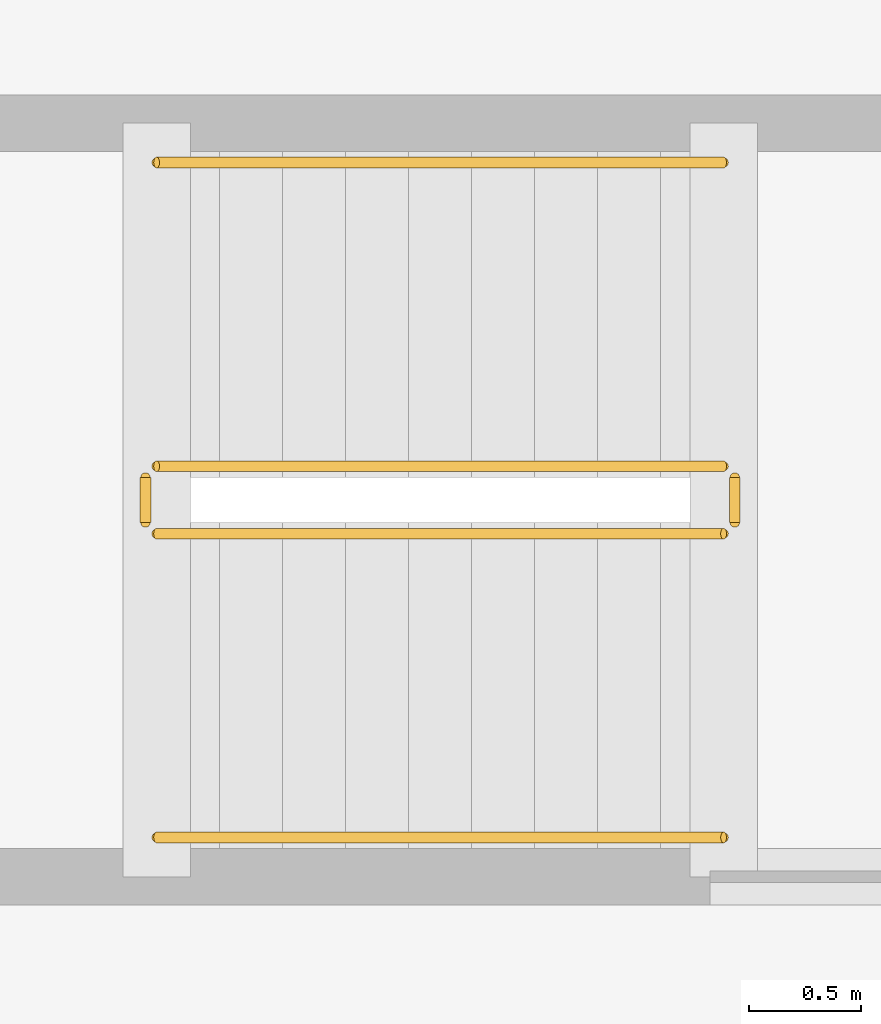
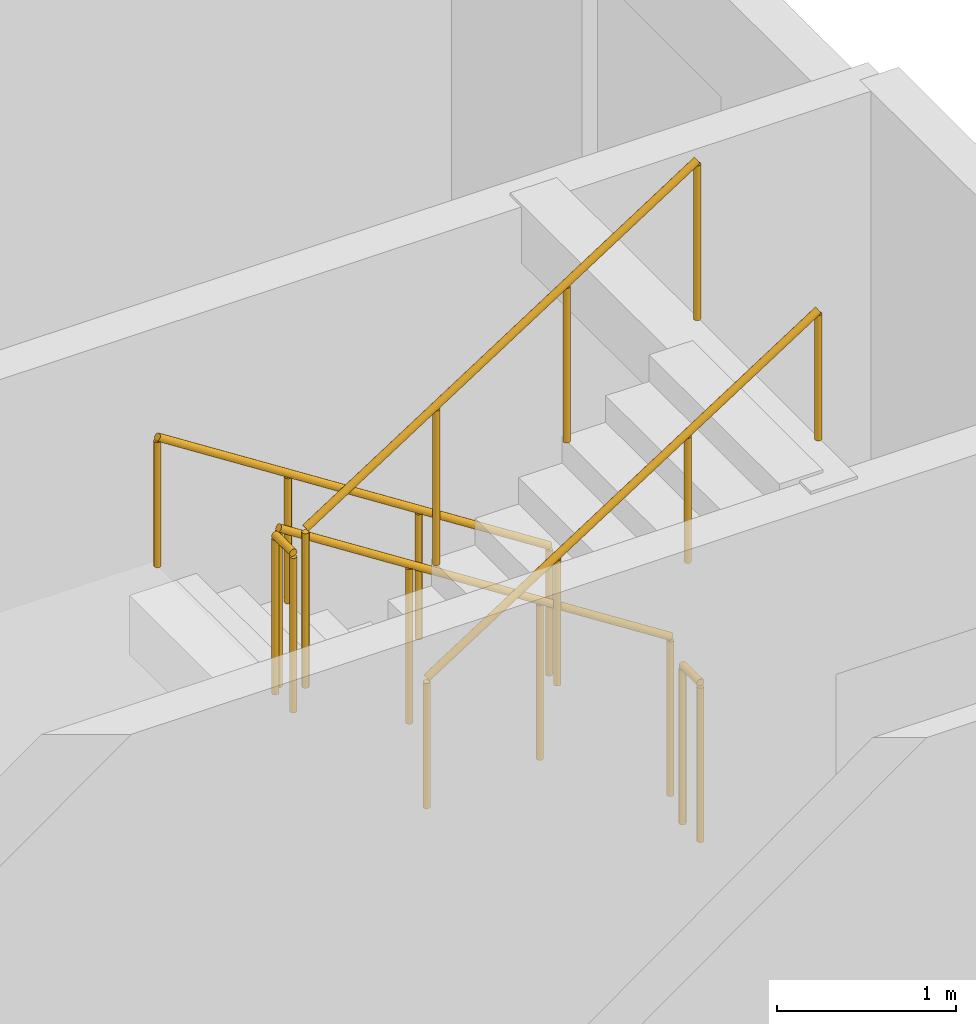
# One storey, part 36 of 36: 6 railings.
"""IFC4 building model written with IfcOpenShell, lengths in metres."""

from ifc_helpers import new_model, si_unit, direction, frame, origin, origin_2d, place, context, subcontext, project, spatial, circle, extrude, material, type_object, element, save


model = new_model("IFC4")

# Units and contexts
model_context = context("Model", 3, precision=1e-05, world=origin(), true_north=direction((0.0, 1.0)))
body_context = subcontext(model_context, "Body", "Model", "MODEL_VIEW")
ifc_project = project(units=[si_unit("LENGTHUNIT", "METRE"), si_unit("AREAUNIT", "SQUARE_METRE"), si_unit("VOLUMEUNIT", "CUBIC_METRE"), si_unit("PLANEANGLEUNIT", "RADIAN"), si_unit("MASSUNIT", "GRAM", prefix="KILO")], contexts=[model_context])

# Site, building, storey
site_placement = place(None, origin())
site = spatial("IfcSite", under=ifc_project, at=site_placement, CompositionType="ELEMENT")
building_placement = place(site_placement, origin())
building = spatial("IfcBuilding", under=site, at=building_placement, Name="Kazehara Bluff Congress Hotel", CompositionType="ELEMENT")
storey_placement = place(building_placement, frame((0.0, 0.0, 28.199951171875)))
storey = spatial("IfcBuildingStorey", under=building, at=storey_placement, Name="L06", CompositionType="ELEMENT", Elevation=28.199951171875)

# Railings
ifc_material_1 = material(Name="Brushed stainless steel", Category="steel")
railing_type_1 = type_object("IfcRailingType", Name="TP-GRD-INT", PredefinedType="GUARDRAIL", material=ifc_material_1)
railing_1_placement = place(storey_placement, frame((165.64990234375, 74.89990234375, 0.179931640625)))
element("IfcRailing", 1, at=railing_1_placement, inside=storey, type_object=railing_type_1, Name="L06 ST-12 stair guard 1", PredefinedType="GUARDRAIL", context=body_context, shape_type="SweptSolid", body=[
    extrude(circle(Radius=0.02392578125, at=origin_2d()), frame((0.0, 0.0, 1.076171875), z_axis=(-0.841162588446, 0.0, 0.540782303519), x_axis=(0.0, -1.0, 0.0)), (0.0, 0.0, 1.0), 2.995849609375),
    extrude(circle(Radius=0.02099609375, at=origin_2d()), origin(), (0.0, 0.0, 1.0), 1.052001953125),
    extrude(circle(Radius=0.02099609375, at=origin_2d()), frame((-0.840087890625, 0.0, 0.5400390625)), (0.0, 0.0, 1.0), 1.052001953125),
    extrude(circle(Radius=0.02099609375, at=origin_2d()), frame((-1.679931640625, 0.0, 1.080078125)), (0.0, 0.0, 1.0), 1.052001953125),
    extrude(circle(Radius=0.02099609375, at=origin_2d()), frame((-2.52001953125, 0.0, 1.6201171875)), (0.0, 0.0, 1.0), 1.052001953125),
])
railing_2_placement = place(storey_placement, frame((163.080078125, 74.85009765625, 1.800048828125)))
element("IfcRailing", 2, at=railing_2_placement, inside=storey, type_object=railing_type_1, Name="L06 ST-12 stair guard 2", PredefinedType="GUARDRAIL", context=body_context, shape_type="SweptSolid", body=[
    extrude(circle(Radius=0.02392578125, at=origin_2d()), frame((0.0, 0.0, 1.076171875), z_axis=(0.0, -1.0, 0.0), x_axis=(1.0, 0.0, 0.0)), (0.0, 0.0, 1.0), 0.2001953125),
    extrude(circle(Radius=0.02099609375, at=origin_2d()), origin(), (0.0, 0.0, 1.0), 1.052001953125),
    extrude(circle(Radius=0.02099609375, at=origin_2d()), frame((0.0, -0.2001953125, 0.0)), (0.0, 0.0, 1.0), 1.052001953125),
])
railing_3_placement = place(storey_placement, frame((163.1298828125, 74.60009765625, 1.97998046875)))
element("IfcRailing", 3, at=railing_3_placement, inside=storey, type_object=railing_type_1, Name="L06 ST-12 stair guard 3", PredefinedType="GUARDRAIL", context=body_context, shape_type="SweptSolid", body=[
    extrude(circle(Radius=0.02392578125, at=origin_2d()), frame((0.0, 0.0, 1.076171875), z_axis=(0.841162588446, 0.0, 0.540782303519), x_axis=(0.0, 1.0, 0.0)), (0.0, 0.0, 1.0), 2.995849609375),
    extrude(circle(Radius=0.02099609375, at=origin_2d()), origin(), (0.0, 0.0, 1.0), 1.052001953125),
    extrude(circle(Radius=0.02099609375, at=origin_2d()), frame((0.840087890625, 0.0, 0.5400390625)), (0.0, 0.0, 1.0), 1.052001953125),
    extrude(circle(Radius=0.02099609375, at=origin_2d()), frame((1.679931640625, 0.0, 1.080078125)), (0.0, 0.0, 1.0), 1.052001953125),
    extrude(circle(Radius=0.02099609375, at=origin_2d()), frame((2.52001953125, 0.0, 1.6201171875)), (0.0, 0.0, 1.0), 1.052001953125),
])
railing_4_placement = place(storey_placement, frame((165.699951171875, 74.85009765625, 0.0)))
element("IfcRailing", 4, at=railing_4_placement, inside=storey, type_object=railing_type_1, Name="L06 ST-12 stair guard 4", PredefinedType="GUARDRAIL", context=body_context, shape_type="SweptSolid", body=[
    extrude(circle(Radius=0.02392578125, at=origin_2d()), frame((0.0, 0.0, 1.076171875), z_axis=(0.0, -1.0, 0.0), x_axis=(1.0, 0.0, 0.0)), (0.0, 0.0, 1.0), 0.2001953125),
    extrude(circle(Radius=0.02099609375, at=origin_2d()), origin(), (0.0, 0.0, 1.0), 1.052001953125),
    extrude(circle(Radius=0.02099609375, at=origin_2d()), frame((0.0, -0.2001953125, 0.0)), (0.0, 0.0, 1.0), 1.052001953125),
])
ifc_material_2 = material(Name="Brushed stainless steel", Category="steel")
railing_type_2 = type_object("IfcRailingType", Name="TP-HR-INT", PredefinedType="HANDRAIL", material=ifc_material_2)
railing_5_placement = place(storey_placement, frame((165.64990234375, 76.25, 0.179931640625)))
element("IfcRailing", 5, at=railing_5_placement, inside=storey, type_object=railing_type_2, Name="L06 ST-12 stair handrail 1", PredefinedType="HANDRAIL", context=body_context, shape_type="SweptSolid", body=[
    extrude(circle(Radius=0.02392578125, at=origin_2d()), frame((0.0, 0.0, 0.8759765625), z_axis=(-0.841162588446, 0.0, 0.540782303519), x_axis=(0.0, -1.0, 0.0)), (0.0, 0.0, 1.0), 2.995849609375),
    extrude(circle(Radius=0.02099609375, at=origin_2d()), origin(), (0.0, 0.0, 1.0), 0.851806640625),
    extrude(circle(Radius=0.02099609375, at=origin_2d()), frame((-0.840087890625, 0.0, 0.5400390625)), (0.0, 0.0, 1.0), 0.851806640625),
    extrude(circle(Radius=0.02099609375, at=origin_2d()), frame((-1.679931640625, 0.0, 1.080078125)), (0.0, 0.0, 1.0), 0.851806640625),
    extrude(circle(Radius=0.02099609375, at=origin_2d()), frame((-2.52001953125, 0.0, 1.6201171875)), (0.0, 0.0, 1.0), 0.851806640625),
])
railing_6_placement = place(storey_placement, frame((163.1298828125, 73.25, 1.97998046875)))
element("IfcRailing", 6, at=railing_6_placement, inside=storey, type_object=railing_type_2, Name="L06 ST-12 stair handrail 2", PredefinedType="HANDRAIL", context=body_context, shape_type="SweptSolid", body=[
    extrude(circle(Radius=0.02392578125, at=origin_2d()), frame((0.0, 0.0, 0.8759765625), z_axis=(0.841162588446, 0.0, 0.540782303519), x_axis=(0.0, 1.0, 0.0)), (0.0, 0.0, 1.0), 2.995849609375),
    extrude(circle(Radius=0.02099609375, at=origin_2d()), origin(), (0.0, 0.0, 1.0), 0.851806640625),
    extrude(circle(Radius=0.02099609375, at=origin_2d()), frame((0.840087890625, 0.0, 0.5400390625)), (0.0, 0.0, 1.0), 0.851806640625),
    extrude(circle(Radius=0.02099609375, at=origin_2d()), frame((1.679931640625, 0.0, 1.080078125)), (0.0, 0.0, 1.0), 0.851806640625),
    extrude(circle(Radius=0.02099609375, at=origin_2d()), frame((2.52001953125, 0.0, 1.6201171875)), (0.0, 0.0, 1.0), 0.851806640625),
])

save(model, "model.ifc")
